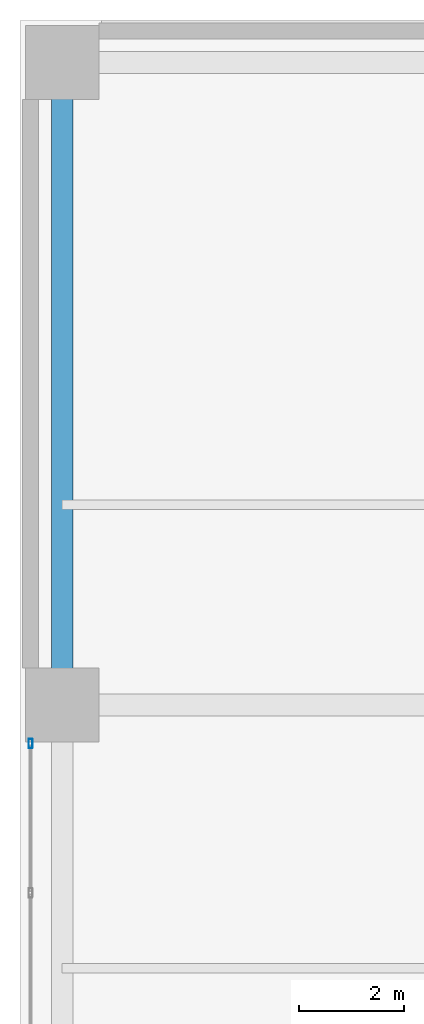
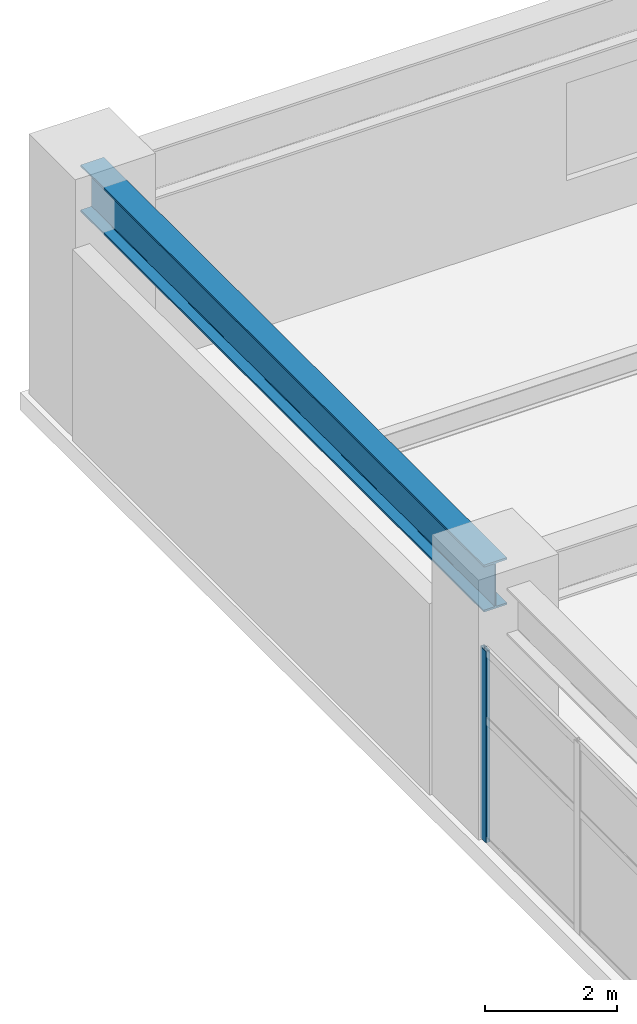
# One storey, part 11 of 28: 1 beam, 1 member, 1 element without a shape of its own.
"""IFC4 building model written with IfcOpenShell, lengths in metres."""

import ifcopenshell
import ifcopenshell.guid

model = None  # the IFC model being written
_history = None  # IfcOwnerHistory: only IFC2X3 demands one
_inside = {}  # id of a spatial element -> (the spatial element, [elements in it])
_under = {}  # id of a project, library or spatial element -> (it, [spatial elements below it])
_declared = {}  # id of a project -> (the project, [libraries it declares])
_typed = {}  # id of a type object -> (the type object, [elements of that type])
_made_of = {}  # id of a material, layer set ... -> (it, [elements and type objects made of it])


def new_model(schema):
    """Start an empty IFC model of exactly this schema.

    Asked for "IFC4X3", IfcOpenShell would pick the latest addendum, in which some entities
    have other attributes; the version numbers below select the first issue.
    IFC2X3 requires an IfcOwnerHistory on every rooted entity: one is made here for all.
    """
    global model, _history
    if schema == "IFC4X3":
        model = ifcopenshell.file(schema_version=(4, 3, 0, 0))
    else:
        model = ifcopenshell.file(schema=schema)
    _inside.clear()
    _under.clear()
    _declared.clear()
    _typed.clear()
    _made_of.clear()
    _history = None
    if model.schema == "IFC2X3":
        org = make("IfcOrganization", Name="unknown")
        user = make(
            "IfcPersonAndOrganization",
            ThePerson=make("IfcPerson", FamilyName="unknown"),
            TheOrganization=org,
        )
        app = make(
            "IfcApplication",
            ApplicationDeveloper=org,
            Version="unknown",
            ApplicationFullName="unknown",
            ApplicationIdentifier="unknown",
        )
        _history = make(
            "IfcOwnerHistory",
            OwningUser=user,
            OwningApplication=app,
            ChangeAction="ADDED",
            CreationDate=0,
        )
    return model


def make(cls, **values):
    """One entity of the class cls with the attributes given. An attribute that is None is left unset."""
    return model.create_entity(
        cls, **{name: value for name, value in values.items() if value is not None}
    )


def rooted(cls, **values):
    """An entity with a GlobalId (a new one), such as an element, a storey or a relation."""
    return make(cls, GlobalId=ifcopenshell.guid.new(), OwnerHistory=_history, **values)


def si_unit(unit_type, name, prefix=None):
    """IfcSIUnit, for example si_unit("LENGTHUNIT", "METRE", prefix="MILLI")."""
    return make("IfcSIUnit", UnitType=unit_type, Prefix=prefix, Name=name)


def assignment(units):
    """IfcUnitAssignment: the units of a project."""
    return None if units is None else make("IfcUnitAssignment", Units=units)


def point(xyz):
    """IfcCartesianPoint."""
    return None if xyz is None else make("IfcCartesianPoint", Coordinates=xyz)


def direction(xyz):
    """IfcDirection."""
    return None if xyz is None else make("IfcDirection", DirectionRatios=xyz)


def frame(location, z_axis=None, x_axis=None):
    """IfcAxis2Placement3D, a coordinate frame: its origin and axes. An axis left out is left unset."""
    return make(
        "IfcAxis2Placement3D",
        Location=point(location),
        Axis=direction(z_axis),
        RefDirection=direction(x_axis),
    )


def frame_2d(location, x_axis=None):
    """IfcAxis2Placement2D, a coordinate frame in the plane: its origin and x axis."""
    return make(
        "IfcAxis2Placement2D", Location=point(location), RefDirection=direction(x_axis)
    )


def origin():
    """The frame at (0, 0, 0) with its axes left unset."""
    return frame((0.0, 0.0, 0.0))


def origin_2d():
    """The frame at (0, 0) in the plane with its x axis left unset."""
    return frame_2d((0.0, 0.0))


def place(relative_to, where):
    """IfcLocalPlacement: puts the frame where relative to a parent placement (None: the world)."""
    return make(
        "IfcLocalPlacement", PlacementRelTo=relative_to, RelativePlacement=where
    )


def context(
    kind, dimensions, precision=None, world=None, true_north=None, identifier=None
):
    """IfcGeometricRepresentationContext, for example the 3D "Model" context."""
    return make(
        "IfcGeometricRepresentationContext",
        ContextIdentifier=identifier,
        ContextType=kind,
        CoordinateSpaceDimension=dimensions,
        Precision=precision,
        WorldCoordinateSystem=world,
        TrueNorth=true_north,
    )


def subcontext(parent, identifier, kind, view, scale=None):
    """IfcGeometricRepresentationSubContext, for example "Body" below "Model"."""
    return make(
        "IfcGeometricRepresentationSubContext",
        ContextIdentifier=identifier,
        ContextType=kind,
        ParentContext=parent,
        TargetScale=scale,
        TargetView=view,
    )


def project(units=None, contexts=None):
    """IfcProject with its units and contexts."""
    return rooted(
        "IfcProject",
        Name="project",
        RepresentationContexts=contexts,
        UnitsInContext=assignment(units),
    )


def spatial(cls, under=None, at=None, **own):
    """A site, building, storey or space (cls), placed at a placement, below another one or the project."""
    s = rooted(cls, ObjectPlacement=at, **own)
    if under is not None:
        _under.setdefault(under.id(), (under, []))[1].append(s)
    return s


def profile(cls, at=None, kind="AREA", **sizes):
    """A parametric profile (cls). Its sizes go by their IFC names, for example OverallWidth=200.0."""
    return make(cls, ProfileType=kind, Position=at, **sizes)


def hollow_rectangle(**sizes):
    """IfcRectangleHollowProfileDef."""
    return profile("IfcRectangleHollowProfileDef", **sizes)


def i_section(**sizes):
    """IfcIShapeProfileDef."""
    return profile("IfcIShapeProfileDef", **sizes)


def extrude(swept, where, along, depth):
    """IfcExtrudedAreaSolid: the profile swept, set in the frame where, extruded along a direction by depth."""
    return make(
        "IfcExtrudedAreaSolid",
        SweptArea=swept,
        Position=where,
        ExtrudedDirection=direction(along),
        Depth=depth,
    )


def shape(context_of_items, identifier, shape_type, items):
    """IfcShapeRepresentation: the items that make up one representation, for example the "Body"."""
    return make(
        "IfcShapeRepresentation",
        ContextOfItems=context_of_items,
        RepresentationIdentifier=identifier,
        RepresentationType=shape_type,
        Items=items,
    )


def material(Name=None, Category=None):
    """IfcMaterial."""
    return make("IfcMaterial", Name=Name, Category=Category)


def layer(
    of_material, thickness, ventilated=None, Name=None, Category=None, Priority=None
):
    """IfcMaterialLayer: one layer of a wall or slab, of a material (None: an air gap)."""
    return make(
        "IfcMaterialLayer",
        Material=of_material,
        LayerThickness=thickness,
        IsVentilated=ventilated,
        Name=Name,
        Category=Category,
        Priority=Priority,
    )


def layer_set(layers, Name=None):
    """IfcMaterialLayerSet."""
    return make("IfcMaterialLayerSet", MaterialLayers=layers, LayerSetName=Name)


def material_profile(
    of_material, cross_section, Name=None, Category=None, Priority=None
):
    """IfcMaterialProfile: a cross section and its material."""
    return make(
        "IfcMaterialProfile",
        Name=Name,
        Material=of_material,
        Profile=cross_section,
        Priority=Priority,
        Category=Category,
    )


def profile_set(profiles, Name=None, composite=None):
    """IfcMaterialProfileSet."""
    return make(
        "IfcMaterialProfileSet",
        Name=Name,
        MaterialProfiles=profiles,
        CompositeProfile=composite,
    )


def made_of(thing, what):
    """Note that an element or type object is made of a material, layer set ...; save() writes the relation."""
    if what is not None:
        _made_of.setdefault(what.id(), (what, []))[1].append(thing)
    return thing


def type_object(cls, material=None, **own):
    """A type object (cls), such as IfcWallType, which elements share."""
    return made_of(rooted(cls, **own), material)


def element(
    cls,
    number,
    at=None,
    inside=None,
    cuts=None,
    type_object=None,
    material=None,
    context=None,
    identifier="Body",
    shape_type=None,
    held_by="IfcProductDefinitionShape",
    body=None,
    shapes=None,
    **own,
):
    """One element of the class cls, such as IfcWall. Its Tag is "e" and its number.

    at: its placement. inside: the storey or other place that contains it. cuts: it is an
    opening in that element (IfcRelVoidsElement). A single representation is given by context,
    identifier, shape_type and body (its items); several are given by shapes. held_by: the class
    of the entity that holds the representations. save() writes the other relations.
    """
    e = rooted(cls, Tag="e%d" % number, ObjectPlacement=at, **own)
    if body is not None:
        shapes = [shape(context, identifier, shape_type, body)]
    if shapes is not None:
        e.Representation = make(held_by, Representations=shapes)
    if inside is not None:
        _inside.setdefault(inside.id(), (inside, []))[1].append(e)
    if cuts is not None:
        rooted(
            "IfcRelVoidsElement", RelatingBuildingElement=cuts, RelatedOpeningElement=e
        )
    if type_object is not None:
        _typed.setdefault(type_object.id(), (type_object, []))[1].append(e)
    return made_of(e, material)


def aggregate(whole, parts):
    """IfcRelAggregates: a whole, such as a stair, and the parts it consists of."""
    return rooted("IfcRelAggregates", RelatingObject=whole, RelatedObjects=parts)


def save(model, path):
    """Write the relations noted so far, then the file.

    IfcRelAggregates (storeys below a building ...), IfcRelContainedInSpatialStructure (elements
    in a storey), IfcRelDefinesByType, IfcRelAssociatesMaterial and IfcRelDeclares: one each for
    every whole, place, type object, material and project.
    """
    for whole, parts in _under.values():
        aggregate(whole, parts)
    for where, things in _inside.values():
        rooted(
            "IfcRelContainedInSpatialStructure",
            RelatedElements=things,
            RelatingStructure=where,
        )
    for kind, things in _typed.values():
        rooted("IfcRelDefinesByType", RelatedObjects=things, RelatingType=kind)
    for what, things in _made_of.values():
        rooted("IfcRelAssociatesMaterial", RelatedObjects=things, RelatingMaterial=what)
    for by, libraries in _declared.values():
        rooted("IfcRelDeclares", RelatingContext=by, RelatedDefinitions=libraries)
    model.write(path)


model = new_model("IFC4")

# Units and contexts
model_context = context("Model", 3, precision=1e-05, world=origin(), true_north=direction((0.0, 1.0)))
body_context = subcontext(model_context, "Body", "Model", "MODEL_VIEW")
ifc_project = project(units=[si_unit("LENGTHUNIT", "METRE"), si_unit("AREAUNIT", "SQUARE_METRE"), si_unit("VOLUMEUNIT", "CUBIC_METRE"), si_unit("PLANEANGLEUNIT", "RADIAN"), si_unit("MASSUNIT", "GRAM", prefix="KILO")], contexts=[model_context])

# Site, building, storey
site_placement = place(None, origin())
site = spatial("IfcSite", under=ifc_project, at=site_placement, CompositionType="ELEMENT")
building_placement = place(site_placement, origin())
building = spatial("IfcBuilding", under=site, at=building_placement, Name="Soratama Intermodal Tower", CompositionType="ELEMENT")
storey_placement = place(building_placement, frame((0.0, 0.0, 11.39990234375)))
storey = spatial("IfcBuildingStorey", under=building, at=storey_placement, Name="L02", CompositionType="ELEMENT", Elevation=11.39990234375)

# Beam
ifc_material_1 = material(Name="Structural steel ASTM A992 Grade 50", Category="steel")
ifc_material_profile_1 = material_profile(ifc_material_1, i_section(OverallWidth=0.403076171875, OverallDepth=0.867919921875, WebThickness=0.02099609375, FlangeThickness=0.03564453125, FilletRadius=0.01806640625, at=origin_2d()), Name="W33X241")
ifc_profile_set_1 = profile_set([ifc_material_profile_1], Name="Structural steel ASTM A992 Grade 50")
beam_type = type_object("IfcBeamType", Name="BM-POD-EXT-W33", PredefinedType="BEAM", material=ifc_profile_set_1)
beam_placement = place(storey_placement, frame((0.800048828125, 35.0, 4.046142578125), z_axis=(0.0, 1.0, 0.0), x_axis=(-1.0, 0.0, 0.0)))
element("IfcBeam", 1, at=beam_placement, inside=storey, type_object=beam_type, Name="L02 Station Girder Y1-4", PredefinedType="BEAM", context=body_context, shape_type="SweptSolid", body=[
    extrude(i_section(OverallWidth=0.403076171875, OverallDepth=0.867919921875, WebThickness=0.02099609375, FlangeThickness=0.03564453125, FilletRadius=0.01806640625, at=origin_2d()), origin(), (0.0, 0.0, 1.0), 12.199951171875),
])

# Curtain wall, member
ifc_material_2 = material(Name="Double-glazed aluminium curtain wall", Category="aluminium")
ifc_layer = layer(ifc_material_2, 0.159912109375)
ifc_layer_set = layer_set([ifc_layer], Name="Double-glazed aluminium curtain wall")
curtain_wall_type = type_object("IfcCurtainWallType", Name="CW-SYS-1", PredefinedType="NOTDEFINED", material=ifc_layer_set)
curtain_wall_placement = place(storey_placement, origin())
curtain_wall = element("IfcCurtainWall", 2, at=curtain_wall_placement, inside=storey, type_object=curtain_wall_type, Name="L02 Station Curtain Wall W2", PredefinedType="NOTDEFINED")
ifc_material_3 = material(Name="Anodised aluminium AA 6063-T6", Category="aluminium")
ifc_material_profile_2 = material_profile(ifc_material_3, hollow_rectangle(XDim=0.074951171875, YDim=0.179931640625, WallThickness=0.006103515625, InnerFilletRadius=0.006103515625, OuterFilletRadius=0.011962890625, at=origin_2d()), Name="CWM180X75X6")
ifc_profile_set_2 = profile_set([ifc_material_profile_2], Name="Anodised aluminium AA 6063-T6")
member_type = type_object("IfcMemberType", Name="MT-CWM-1", PredefinedType="MULLION", material=ifc_profile_set_2)
member_placement = place(storey_placement, frame((0.199951171875, 34.27001953125, 0.0), z_axis=(0.0, 0.0, 1.0), x_axis=(-1.0, 0.0, 0.0)))
member = element("IfcMember", 3, at=member_placement, type_object=member_type, Name="CW-1 mullion 4", PredefinedType="MULLION", context=body_context, shape_type="SweptSolid", body=[
    extrude(hollow_rectangle(XDim=0.074951171875, YDim=0.179931640625, WallThickness=0.006103515625, InnerFilletRadius=0.006103515625, OuterFilletRadius=0.011962890625, at=origin_2d()), origin(), (0.0, 0.0, 1.0), 3.5361328125),
])
aggregate(curtain_wall, [member])

save(model, "model.ifc")
